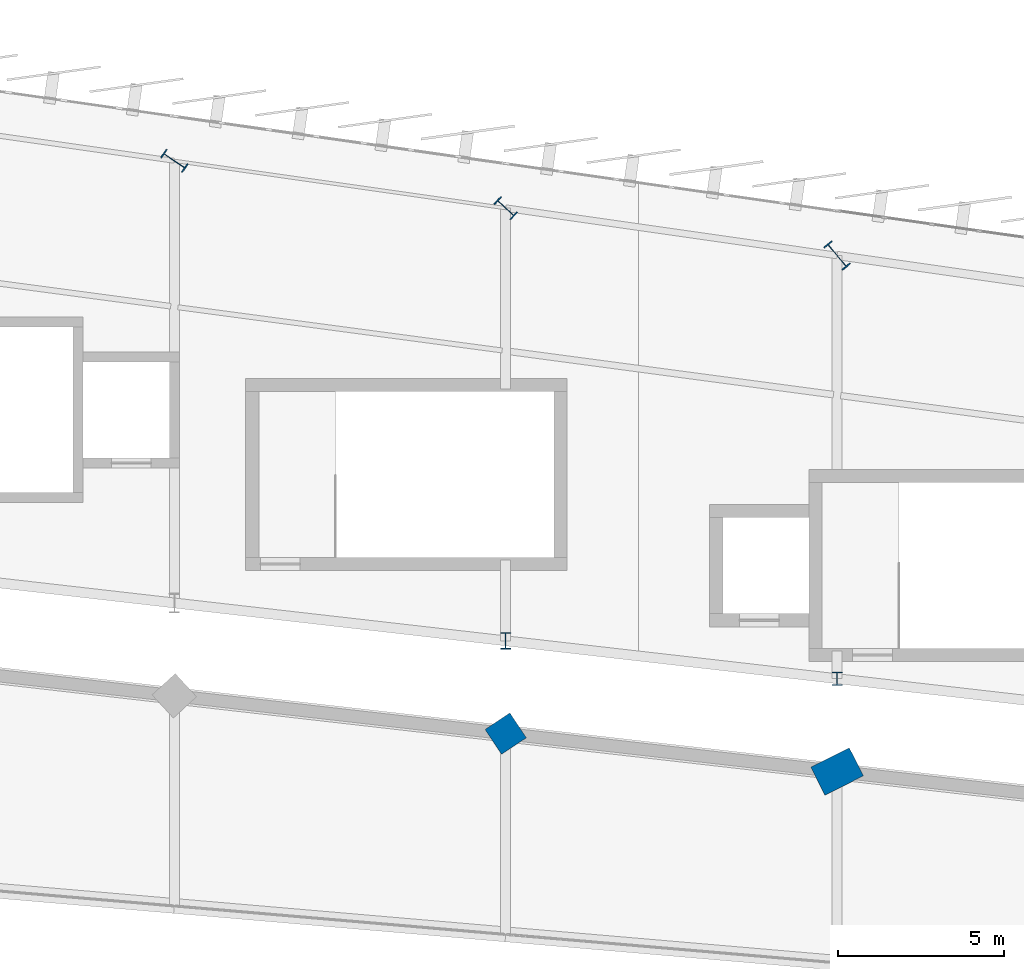
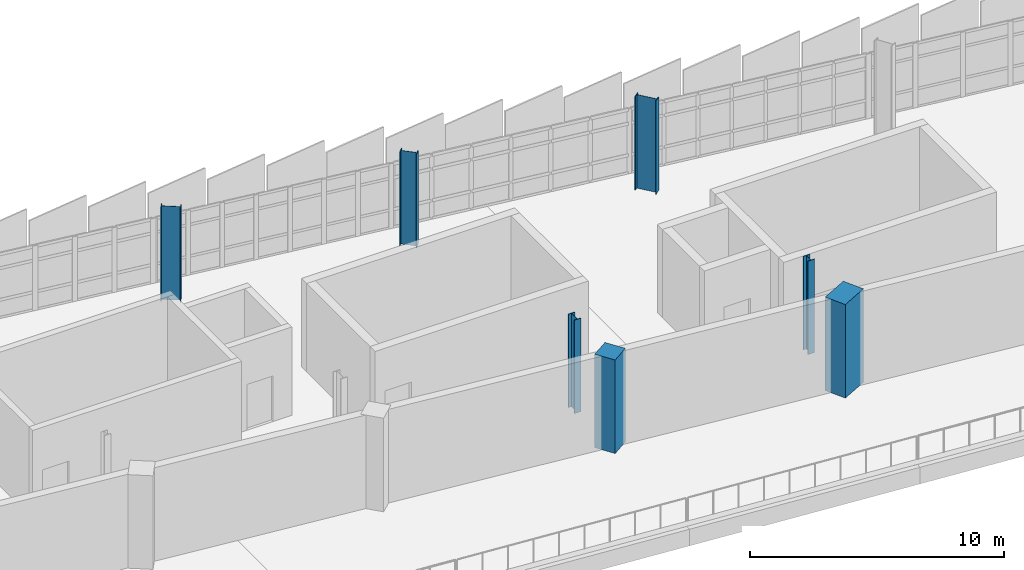
# One storey, part 11 of 87: 7 columns.
"""IFC4 building model written with IfcOpenShell, lengths in metres."""

from ifc_helpers import new_model, si_unit, direction, frame, origin, origin_2d, place, context, subcontext, project, spatial, rectangle, i_section, extrude, material, material_profile, profile_set, type_object, element, save


model = new_model("IFC4")

# Units and contexts
model_context = context("Model", 3, precision=1e-05, world=origin(), true_north=direction((0.0, 1.0)))
body_context = subcontext(model_context, "Body", "Model", "MODEL_VIEW")
ifc_project = project(units=[si_unit("LENGTHUNIT", "METRE"), si_unit("AREAUNIT", "SQUARE_METRE"), si_unit("VOLUMEUNIT", "CUBIC_METRE"), si_unit("PLANEANGLEUNIT", "RADIAN"), si_unit("MASSUNIT", "GRAM", prefix="KILO")], contexts=[model_context])

# Site, building, storey
site_placement = place(None, origin())
site = spatial("IfcSite", under=ifc_project, at=site_placement, CompositionType="ELEMENT")
building_placement = place(site_placement, origin())
building = spatial("IfcBuilding", under=site, at=building_placement, Name="Sohan Crest Arena", CompositionType="ELEMENT")
storey_placement = place(building_placement, frame((0.0, 0.0, 18.0)))
storey = spatial("IfcBuildingStorey", under=building, at=storey_placement, Name="L04", CompositionType="ELEMENT", Elevation=18.0)

# Columns
ifc_material_1 = material(Name="Concrete C40/50", Category="concrete")
ifc_material_profile_1 = material_profile(ifc_material_1, rectangle(XDim=0.89990234375, YDim=0.89990234375, at=origin_2d()), Name="RC 900x900")
ifc_profile_set_1 = profile_set([ifc_material_profile_1], Name="Concrete C40/50")
column_type_1 = type_object("IfcColumnType", Name="STR-COL-C07", PredefinedType="COLUMN", material=ifc_profile_set_1)
column_1_placement = place(storey_placement, frame((138.0, 104.428955078125, 0.0), z_axis=(0.0, 0.0, 1.0), x_axis=(0.833885822067, 0.551936985312, 0.0)))
element("IfcColumn", 1, at=column_1_placement, inside=storey, type_object=column_type_1, Name="Structural column COL-V1R-31-L04", PredefinedType="COLUMN", context=body_context, shape_type="SweptSolid", body=[
    extrude(rectangle(XDim=0.89990234375, YDim=0.89990234375, at=origin_2d()), origin(), (0.0, 0.0, 1.0), 4.5),
])
ifc_material_profile_2 = material_profile(ifc_material_1, rectangle(XDim=1.300048828125, YDim=0.949951171875, at=origin_2d()), Name="RC 1300x950")
ifc_profile_set_2 = profile_set([ifc_material_profile_2], Name="Concrete C40/50")
column_type_2 = type_object("IfcColumnType", Name="STR-COL-C12", PredefinedType="COLUMN", material=ifc_profile_set_2)
column_2_placement = place(storey_placement, frame((148.0, 103.285888671875, 0.0), z_axis=(0.0, 0.0, 1.0), x_axis=(0.892585818452, 0.450877540689, 0.0)))
element("IfcColumn", 2, at=column_2_placement, inside=storey, type_object=column_type_2, Name="Structural column COL-V1R-30-L04", PredefinedType="COLUMN", context=body_context, shape_type="SweptSolid", body=[
    extrude(rectangle(XDim=1.300048828125, YDim=0.949951171875, at=origin_2d()), origin(), (0.0, 0.0, 1.0), 4.5),
])
ifc_material_2 = material(Name="Steel S355", Category="steel")
ifc_material_profile_3 = material_profile(ifc_material_2, i_section(OverallWidth=0.300048828125, OverallDepth=0.39990234375, WebThickness=0.013427734375, FlangeThickness=0.02392578125, at=origin_2d()), Name="HEB 400")
ifc_profile_set_3 = profile_set([ifc_material_profile_3], Name="Steel S355")
column_type_3 = type_object("IfcColumnType", Name="STR-COL-C18", PredefinedType="COLUMN", material=ifc_profile_set_3)
column_3_placement = place(storey_placement, frame((148.0, 106.0859375, 0.0), z_axis=(0.0, 0.0, 1.0), x_axis=(1.0, 0.0, 0.0)))
element("IfcColumn", 3, at=column_3_placement, inside=storey, type_object=column_type_3, Name="Structural column COL-V2I-30-L04", PredefinedType="COLUMN", context=body_context, shape_type="SweptSolid", body=[
    extrude(i_section(OverallWidth=0.300048828125, OverallDepth=0.39990234375, WebThickness=0.013427734375, FlangeThickness=0.02392578125, at=origin_2d()), origin(), (0.0, 0.0, 1.0), 4.5),
])
ifc_material_profile_4 = material_profile(ifc_material_2, i_section(OverallWidth=0.300048828125, OverallDepth=0.5, WebThickness=0.014404296875, FlangeThickness=0.028076171875, at=origin_2d()), Name="HEB 500")
ifc_profile_set_4 = profile_set([ifc_material_profile_4], Name="Steel S355")
column_type_4 = type_object("IfcColumnType", Name="STR-COL-C19", PredefinedType="COLUMN", material=ifc_profile_set_4)
column_4_placement = place(storey_placement, frame((138.0, 107.22900390625, 0.0), z_axis=(0.0, 0.0, 1.0), x_axis=(1.0, 0.0, 0.0)))
element("IfcColumn", 4, at=column_4_placement, inside=storey, type_object=column_type_4, Name="Structural column COL-V2I-31-L04", PredefinedType="COLUMN", context=body_context, shape_type="SweptSolid", body=[
    extrude(i_section(OverallWidth=0.300048828125, OverallDepth=0.5, WebThickness=0.014404296875, FlangeThickness=0.028076171875, at=origin_2d()), origin(), (0.0, 0.0, 1.0), 4.5),
])
ifc_material_profile_5 = material_profile(ifc_material_2, i_section(OverallWidth=0.300048828125, OverallDepth=0.699951171875, WebThickness=0.01708984375, FlangeThickness=0.031982421875, at=origin_2d()), Name="HEB 700")
ifc_profile_set_5 = profile_set([ifc_material_profile_5], Name="Steel S355")
column_type_5 = type_object("IfcColumnType", Name="STR-COL-C21", PredefinedType="COLUMN", material=ifc_profile_set_5)
column_5_placement = place(storey_placement, frame((138.0, 120.285888671875, 0.0), z_axis=(0.0, 0.0, 1.0), x_axis=(0.687087510804, 0.726574670971, 0.0)))
element("IfcColumn", 5, at=column_5_placement, inside=storey, type_object=column_type_5, Name="Structural column COL-V2O-31-L04", PredefinedType="COLUMN", context=body_context, shape_type="SweptSolid", body=[
    extrude(i_section(OverallWidth=0.300048828125, OverallDepth=0.699951171875, WebThickness=0.01708984375, FlangeThickness=0.031982421875, at=origin_2d()), origin(), (0.0, 0.0, 1.0), 4.5),
])
ifc_material_profile_6 = material_profile(ifc_material_2, i_section(OverallWidth=0.300048828125, OverallDepth=0.800048828125, WebThickness=0.017578125, FlangeThickness=0.032958984375, at=origin_2d()), Name="HEB 800")
ifc_profile_set_6 = profile_set([ifc_material_profile_6], Name="Steel S355")
column_type_6 = type_object("IfcColumnType", Name="STR-COL-C22", PredefinedType="COLUMN", material=ifc_profile_set_6)
column_6_placement = place(storey_placement, frame((128.0, 121.714111328125, 0.0), z_axis=(0.0, 0.0, 1.0), x_axis=(0.566406236925, 0.824126188622, 0.0)))
element("IfcColumn", 6, at=column_6_placement, inside=storey, type_object=column_type_6, Name="Structural column COL-V2O-32-L04", PredefinedType="COLUMN", context=body_context, shape_type="SweptSolid", body=[
    extrude(i_section(OverallWidth=0.300048828125, OverallDepth=0.800048828125, WebThickness=0.017578125, FlangeThickness=0.032958984375, at=origin_2d()), origin(), (0.0, 0.0, 1.0), 4.5),
])
ifc_material_profile_7 = material_profile(ifc_material_2, i_section(OverallWidth=0.300048828125, OverallDepth=0.89990234375, WebThickness=0.0185546875, FlangeThickness=0.034912109375, at=origin_2d()), Name="HEB 900")
ifc_profile_set_7 = profile_set([ifc_material_profile_7], Name="Steel S355")
column_type_7 = type_object("IfcColumnType", Name="STR-COL-C23", PredefinedType="COLUMN", material=ifc_profile_set_7)
column_7_placement = place(storey_placement, frame((148.0, 118.85693359375, 0.0), z_axis=(0.0, 0.0, 1.0), x_axis=(0.773840209727, 0.633380872628, 0.0)))
element("IfcColumn", 7, at=column_7_placement, inside=storey, type_object=column_type_7, Name="Structural column COL-V2O-30-L04", PredefinedType="COLUMN", context=body_context, shape_type="SweptSolid", body=[
    extrude(i_section(OverallWidth=0.300048828125, OverallDepth=0.89990234375, WebThickness=0.0185546875, FlangeThickness=0.034912109375, at=origin_2d()), origin(), (0.0, 0.0, 1.0), 4.5),
])

save(model, "model.ifc")
